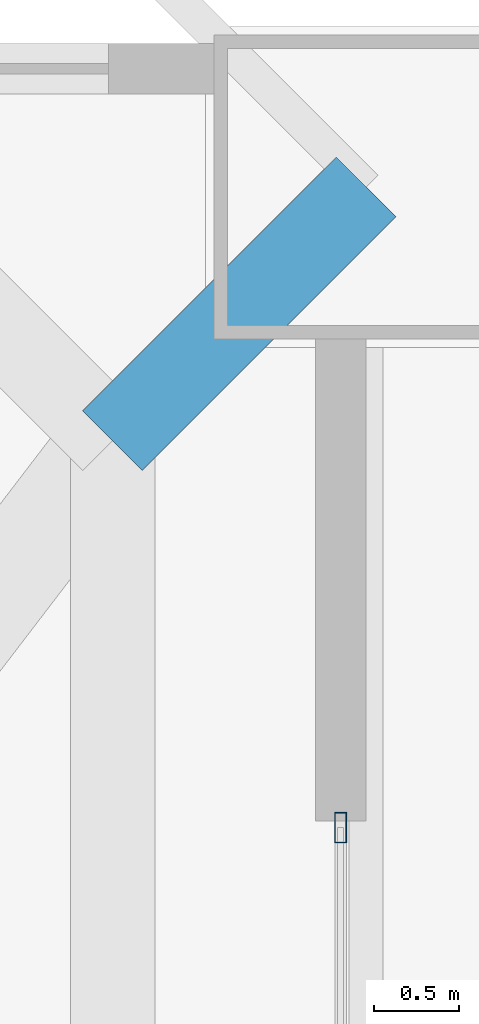
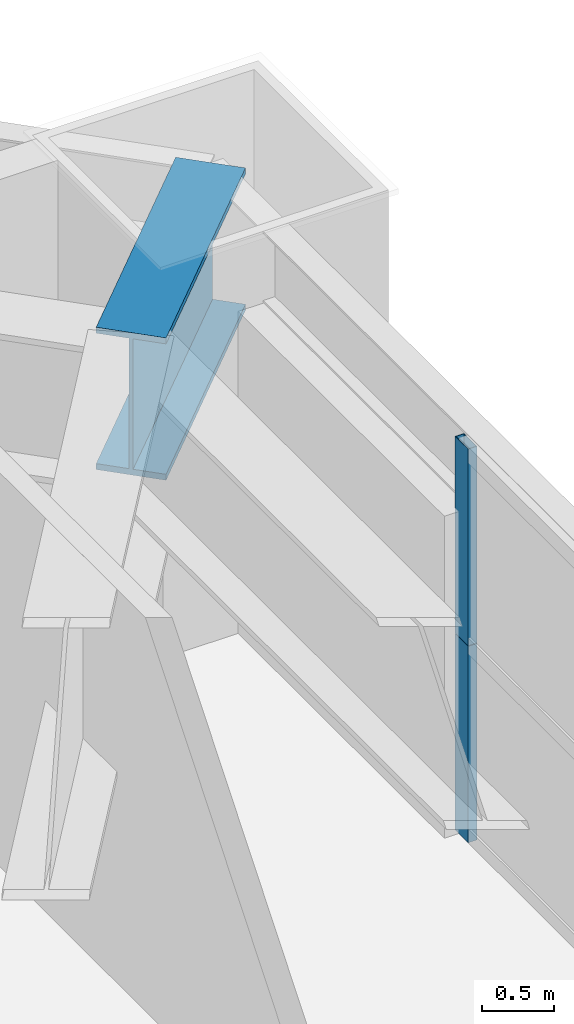
# One storey, part 34 of 44: 2 members, 1 beam, 1 element without a shape of its own.
"""IFC4 building model written with IfcOpenShell, lengths in metres."""

from ifc_helpers import new_model, si_unit, direction, frame, origin, origin_2d, place, context, subcontext, project, spatial, hollow_rectangle, i_section, extrude, source, transform, mapped, material, layer, layer_set, material_profile, profile_set, type_object, element, aggregate, save


model = new_model("IFC4")

# Units and contexts
model_context = context("Model", 3, precision=1e-05, world=origin(), true_north=direction((0.0, 1.0)))
body_context = subcontext(model_context, "Body", "Model", "MODEL_VIEW")
ifc_project = project(units=[si_unit("LENGTHUNIT", "METRE"), si_unit("AREAUNIT", "SQUARE_METRE"), si_unit("VOLUMEUNIT", "CUBIC_METRE"), si_unit("PLANEANGLEUNIT", "RADIAN"), si_unit("MASSUNIT", "GRAM", prefix="KILO"), si_unit("THERMODYNAMICTEMPERATUREUNIT", "KELVIN"), si_unit("POWERUNIT", "WATT")], contexts=[model_context])

# Site, building, storey
site_placement = place(None, origin())
site = spatial("IfcSite", under=ifc_project, at=site_placement, CompositionType="ELEMENT")
building_placement = place(site_placement, origin())
building = spatial("IfcBuilding", under=site, at=building_placement, Name="Yuzanri Waterfront Tower", CompositionType="ELEMENT")
storey_placement = place(building_placement, frame((0.0, 0.0, 82.0)))
storey = spatial("IfcBuildingStorey", under=building, at=storey_placement, Name="L21", CompositionType="ELEMENT", Elevation=82.0)

# Beam
ifc_material_1 = material(Name="Steel Q420GJC", Category="steel")
ifc_material_profile_1 = material_profile(ifc_material_1, i_section(OverallWidth=0.5, OverallDepth=1.199951171875, WebThickness=0.028076171875, FlangeThickness=0.050048828125, at=origin_2d()), Name="PG 1200x500x28x50")
ifc_profile_set_1 = profile_set([ifc_material_profile_1], Name="Steel Q420GJC")
beam_type = type_object("IfcBeamType", Name="Setback Transfer Girder Q420GJC PG 1200x500", PredefinedType="USERDEFINED", material=ifc_profile_set_1)
shared_shape_1 = source(origin(), body_context, "Body", "SweptSolid", [
    extrude(i_section(OverallWidth=0.5, OverallDepth=1.199951171875, WebThickness=0.028076171875, FlangeThickness=0.050048828125, at=origin_2d()), origin(), (0.0, 0.0, 1.0), 2.121337890625),
])
beam_placement = place(storey_placement, frame((60.60009765625, 45.800048828125, 2.719970703125), z_axis=(0.707106781187, 0.707106781187, 0.0), x_axis=(-0.707106781187, 0.707106781187, 0.0)))
element("IfcBeam", 1, at=beam_placement, inside=storey, type_object=beam_type, Name="L21 Setback Step Transfer E3", ObjectType="GIRDER", PredefinedType="USERDEFINED", context=body_context, shape_type="MappedRepresentation", body=[
    mapped(shared_shape_1, transform((0.0, 0.0, 0.0), scale=1.0)),
])

# Curtain wall, members
ifc_material_2 = material(Name="Anodized Architectural Bronze", Category="metal")
ifc_layer = layer(ifc_material_2, 0.159912109375)
ifc_layer_set = layer_set([ifc_layer], Name="Anodized Architectural Bronze")
curtain_wall_type = type_object("IfcCurtainWallType", Name="Anodized Bronze Hotel Lower-Tier Recessed Unitized Curtain Wall 8100", PredefinedType="NOTDEFINED", material=ifc_layer_set)
curtain_wall_placement = place(storey_placement, origin())
curtain_wall = element("IfcCurtainWall", 2, at=curtain_wall_placement, inside=storey, type_object=curtain_wall_type, Name="L21 Curtain Wall CW-L21-ER", PredefinedType="NOTDEFINED")
ifc_material_3 = material(Name="Anodized Architectural Bronze", Category="metal")
ifc_material_profile_2 = material_profile(ifc_material_3, hollow_rectangle(XDim=0.070068359375, YDim=0.179931640625, WallThickness=0.00390625, at=origin_2d()), Name="CWM 70x180")
ifc_profile_set_2 = profile_set([ifc_material_profile_2], Name="Anodized Architectural Bronze")
member_type = type_object("IfcMemberType", Name="Anodized Bronze Standard Curtain-Wall Mullion 70x180", PredefinedType="MULLION", material=ifc_profile_set_2)
shared_shape_2 = source(origin(), body_context, "Body", "SweptSolid", [
    extrude(hollow_rectangle(XDim=0.070068359375, YDim=0.179931640625, WallThickness=0.00390625, at=origin_2d()), origin(), (0.0, 0.0, 1.0), 1.657958984375),
])
member_1_placement = place(storey_placement, frame((61.949951171875, 43.510009765625, 0.0), z_axis=(0.0, 0.0, 1.0), x_axis=(1.0, 0.0, 0.0)))
member_1 = element("IfcMember", 3, at=member_1_placement, type_object=member_type, Name="CW-L21-ER Lower Mullion 02", PredefinedType="MULLION", context=body_context, shape_type="MappedRepresentation", body=[
    mapped(shared_shape_2, transform((0.0, 0.0, 0.0), scale=1.0)),
])
member_2_placement = place(storey_placement, frame((61.949951171875, 43.510009765625, 1.662109375), z_axis=(0.0, 0.0, 1.0), x_axis=(1.0, 0.0, 0.0)))
member_2 = element("IfcMember", 4, at=member_2_placement, type_object=member_type, Name="CW-L21-ER Upper Mullion 02", PredefinedType="MULLION", context=body_context, shape_type="MappedRepresentation", body=[
    mapped(shared_shape_2, transform((0.0, 0.0, 0.0), scale=1.0)),
])
aggregate(curtain_wall, [member_1, member_2])

save(model, "model.ifc")
